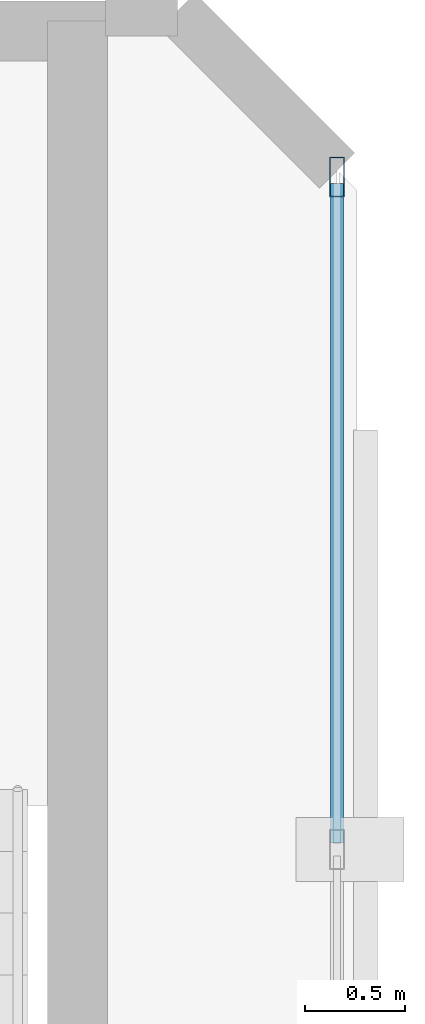
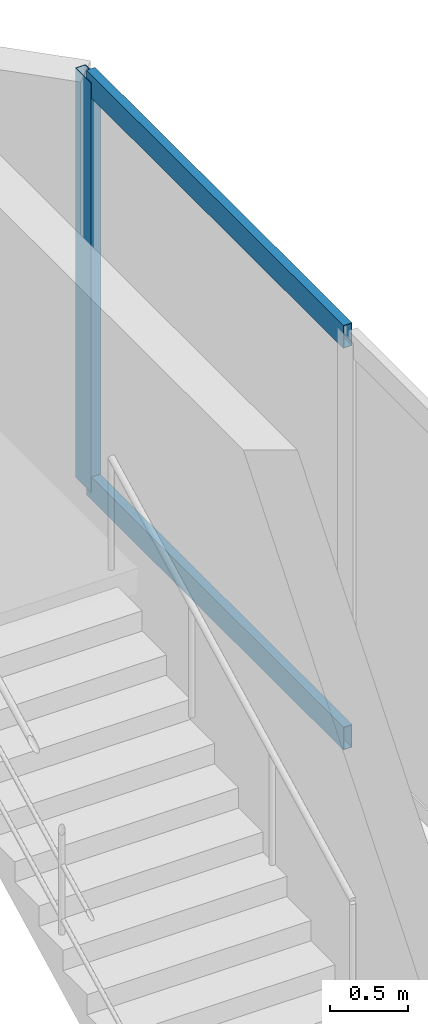
# One storey, part 4 of 7: 3 members, 1 element without a shape of its own.
"""IFC4 building model written with IfcOpenShell, lengths in metres."""

from ifc_helpers import new_model, si_unit, direction, frame, origin, origin_2d, place, context, subcontext, project, spatial, hollow_rectangle, extrude, material, layer, layer_set, material_profile, profile_set, type_object, element, aggregate, save


model = new_model("IFC4")

# Units and contexts
model_context = context("Model", 3, precision=1e-05, world=origin(), true_north=direction((0.0, 1.0)))
body_context = subcontext(model_context, "Body", "Model", "MODEL_VIEW")
ifc_project = project(units=[si_unit("LENGTHUNIT", "METRE"), si_unit("AREAUNIT", "SQUARE_METRE"), si_unit("VOLUMEUNIT", "CUBIC_METRE"), si_unit("PLANEANGLEUNIT", "RADIAN"), si_unit("MASSUNIT", "GRAM", prefix="KILO")], contexts=[model_context])

# Site, building, storey
site_placement = place(None, origin())
site = spatial("IfcSite", under=ifc_project, at=site_placement, CompositionType="ELEMENT")
building_placement = place(site_placement, origin())
building = spatial("IfcBuilding", under=site, at=building_placement, Name="Catumbela Crestline Tower", CompositionType="ELEMENT")
storey_placement = place(building_placement, frame((0.0, 0.0, 311.5)))
storey = spatial("IfcBuildingStorey", under=building, at=storey_placement, Name="L80", CompositionType="ELEMENT", Elevation=311.5)

# Curtain wall, members
ifc_material = material(Name="Aluminium alloy AW-6060-T66", Category="aluminium")
ifc_layer = layer(ifc_material, 0.18, Name="Aluminium alloy AW-6060-T66")
ifc_layer_set = layer_set([ifc_layer], Name="Aluminium alloy AW-6060-T66")
curtain_wall_type = type_object("IfcCurtainWallType", Name="CWS-OBS", PredefinedType="USERDEFINED", material=ifc_layer_set)
curtain_wall_placement = place(storey_placement, origin())
curtain_wall = element("IfcCurtainWall", 1, at=curtain_wall_placement, inside=storey, type_object=curtain_wall_type, Name="L80 Stick Curtain Wall CW-L80-E2S1", ObjectType="STICK", PredefinedType="USERDEFINED")
ifc_material_profile_1 = material_profile(ifc_material, hollow_rectangle(XDim=0.075, YDim=0.2, WallThickness=0.005, at=origin_2d()), Name="ALU 200x75x5")
ifc_profile_set_1 = profile_set([ifc_material_profile_1], Name="Aluminium alloy AW-6060-T66")
member_type_1 = type_object("IfcMemberType", Name="MUL-200X75", PredefinedType="MULLION", material=ifc_profile_set_1)
member_1_placement = place(storey_placement, frame((41.3, 42.1675, 0.0), z_axis=(0.0, 0.0, 1.0), x_axis=(-1.0, 0.0, 0.0)))
member_1 = element("IfcMember", 2, at=member_1_placement, type_object=member_type_1, Name="CWS-OBS mullion 5", PredefinedType="MULLION", context=body_context, shape_type="SweptSolid", body=[
    extrude(hollow_rectangle(XDim=0.075, YDim=0.2, WallThickness=0.005, at=origin_2d()), origin(), (0.0, 0.0, 1.0), 3.21),
])
ifc_material_profile_2 = material_profile(ifc_material, hollow_rectangle(XDim=0.065, YDim=0.18, WallThickness=0.004, at=origin_2d()), Name="ALU 180x65x4")
ifc_profile_set_2 = profile_set([ifc_material_profile_2], Name="Aluminium alloy AW-6060-T66")
member_type_2 = type_object("IfcMemberType", Name="TRN-180X65", PredefinedType="USERDEFINED", material=ifc_profile_set_2)
member_2_placement = place(storey_placement, frame((41.3, 38.8325, 0.03), z_axis=(0.0, 1.0, 0.0), x_axis=(-1.0, 0.0, 0.0)))
member_2 = element("IfcMember", 3, at=member_2_placement, type_object=member_type_2, Name="CWS-OBS transom 4.1", ObjectType="TRANSOM", PredefinedType="USERDEFINED", context=body_context, shape_type="SweptSolid", body=[
    extrude(hollow_rectangle(XDim=0.065, YDim=0.18, WallThickness=0.004, at=origin_2d()), origin(), (0.0, 0.0, 1.0), 3.3025),
])
member_3_placement = place(storey_placement, frame((41.3, 38.8325, 3.18), z_axis=(0.0, 1.0, 0.0), x_axis=(-1.0, 0.0, 0.0)))
member_3 = element("IfcMember", 4, at=member_3_placement, type_object=member_type_2, Name="CWS-OBS transom 4.2", ObjectType="TRANSOM", PredefinedType="USERDEFINED", context=body_context, shape_type="SweptSolid", body=[
    extrude(hollow_rectangle(XDim=0.065, YDim=0.18, WallThickness=0.004, at=origin_2d()), origin(), (0.0, 0.0, 1.0), 3.3025),
])
aggregate(curtain_wall, [member_1, member_2, member_3])

save(model, "model.ifc")
